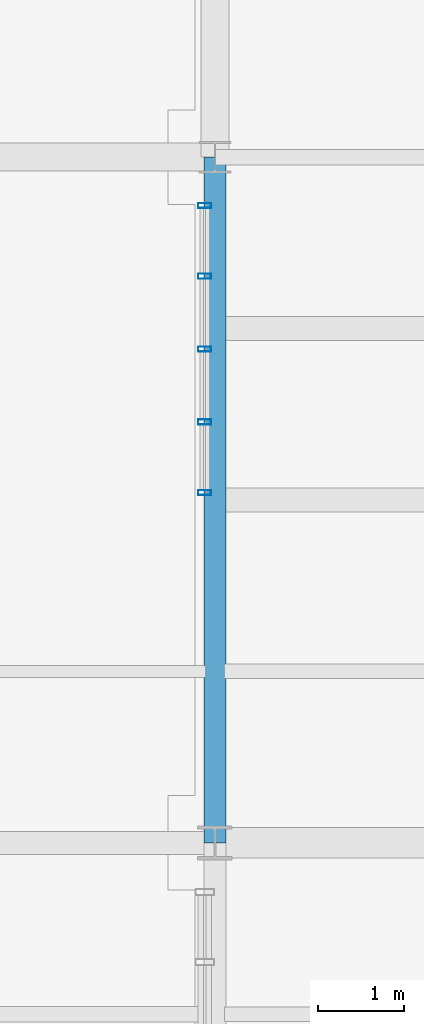
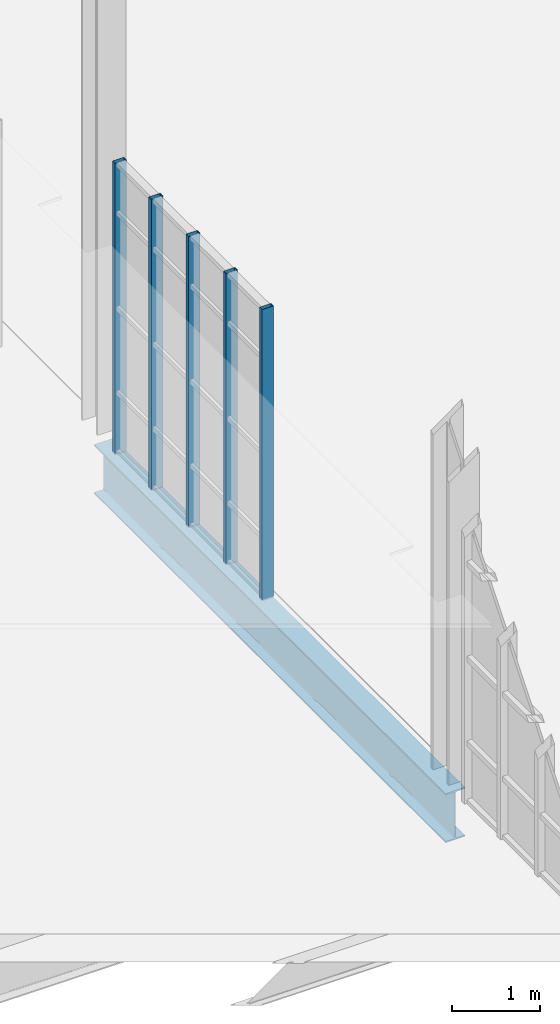
# One storey, part 34 of 118: 5 members, 1 beam, 1 element without a shape of its own.
"""IFC4 building model written with IfcOpenShell, lengths in metres."""

from ifc_helpers import new_model, si_unit, direction, frame, origin, origin_2d, place, context, subcontext, project, spatial, hollow_rectangle, i_section, extrude, material, layer, layer_set, material_profile, profile_set, type_object, element, aggregate, save


model = new_model("IFC4")

# Units and contexts
model_context = context("Model", 3, precision=1e-05, world=origin(), true_north=direction((0.0, 1.0)))
body_context = subcontext(model_context, "Body", "Model", "MODEL_VIEW")
ifc_project = project(units=[si_unit("LENGTHUNIT", "METRE"), si_unit("AREAUNIT", "SQUARE_METRE"), si_unit("VOLUMEUNIT", "CUBIC_METRE"), si_unit("PLANEANGLEUNIT", "RADIAN"), si_unit("MASSUNIT", "GRAM", prefix="KILO"), si_unit("THERMODYNAMICTEMPERATUREUNIT", "KELVIN"), si_unit("POWERUNIT", "WATT")], contexts=[model_context])

# Site, building, storey
site_placement = place(None, origin())
site = spatial("IfcSite", under=ifc_project, at=site_placement, CompositionType="ELEMENT")
building_placement = place(site_placement, origin())
building = spatial("IfcBuilding", under=site, at=building_placement, Name="Zelmaris Science Centre", CompositionType="ELEMENT")
storey_placement = place(building_placement, frame((0.0, 0.0, 15.60009765625)))
storey = spatial("IfcBuildingStorey", under=building, at=storey_placement, Name="L03", CompositionType="ELEMENT", Elevation=15.60009765625)

# Curtain wall, members
ifc_material_1 = material(Name="Anodised architectural aluminium 6063-T6", Category="aluminium")
ifc_layer = layer(ifc_material_1, 0.219970703125, Name="Anodised architectural aluminium 6063-T6")
ifc_layer_set = layer_set([ifc_layer], Name="Anodised architectural aluminium 6063-T6")
curtain_wall_type = type_object("IfcCurtainWallType", Name="Curtain Wall CW-04", PredefinedType="USERDEFINED", material=ifc_layer_set)
curtain_wall_placement = place(storey_placement, origin())
curtain_wall = element("IfcCurtainWall", 1, at=curtain_wall_placement, inside=storey, type_object=curtain_wall_type, Name="L03 Unitised curtain wall 304", ObjectType="GLAZED CURTAIN WALL", PredefinedType="USERDEFINED")
ifc_material_profile_1 = material_profile(ifc_material_1, hollow_rectangle(XDim=0.06005859375, YDim=0.14990234375, WallThickness=0.00341796875, at=origin_2d()), Name="ALU-MUL-60X150")
ifc_profile_set_1 = profile_set([ifc_material_profile_1], Name="Anodised architectural aluminium 6063-T6")
member_type = type_object("IfcMemberType", Name="ALU-MUL-60X150", PredefinedType="MULLION", material=ifc_profile_set_1)
member_1_placement = place(storey_placement, frame((134.8798828125, 23.43408203125, -0.01513671875), z_axis=(0.0, 0.0, 1.0), x_axis=(0.0, -1.0, 0.0)))
member_1 = element("IfcMember", 2, at=member_1_placement, type_object=member_type, Name="CW-04 mullion 1", PredefinedType="MULLION", context=body_context, shape_type="SweptSolid", body=[
    extrude(hollow_rectangle(XDim=0.06005859375, YDim=0.14990234375, WallThickness=0.00341796875, at=origin_2d()), origin(), (0.0, 0.0, 1.0), 4.044921875),
])
member_2_placement = place(storey_placement, frame((134.8798828125, 22.610107421875, -0.01513671875), z_axis=(0.0, 0.0, 1.0), x_axis=(0.0, -1.0, 0.0)))
member_2 = element("IfcMember", 3, at=member_2_placement, type_object=member_type, Name="CW-04 mullion 2", PredefinedType="MULLION", context=body_context, shape_type="SweptSolid", body=[
    extrude(hollow_rectangle(XDim=0.06005859375, YDim=0.14990234375, WallThickness=0.00341796875, at=origin_2d()), origin(), (0.0, 0.0, 1.0), 4.044921875),
])
member_3_placement = place(storey_placement, frame((134.8798828125, 21.760009765625, -0.01513671875), z_axis=(0.0, 0.0, 1.0), x_axis=(0.0, -1.0, 0.0)))
member_3 = element("IfcMember", 4, at=member_3_placement, type_object=member_type, Name="CW-04 mullion 3", PredefinedType="MULLION", context=body_context, shape_type="SweptSolid", body=[
    extrude(hollow_rectangle(XDim=0.06005859375, YDim=0.14990234375, WallThickness=0.00341796875, at=origin_2d()), origin(), (0.0, 0.0, 1.0), 4.044921875),
])
member_4_placement = place(storey_placement, frame((134.8798828125, 20.909912109375, -0.01513671875), z_axis=(0.0, 0.0, 1.0), x_axis=(0.0, -1.0, 0.0)))
member_4 = element("IfcMember", 5, at=member_4_placement, type_object=member_type, Name="CW-04 mullion 4", PredefinedType="MULLION", context=body_context, shape_type="SweptSolid", body=[
    extrude(hollow_rectangle(XDim=0.06005859375, YDim=0.14990234375, WallThickness=0.00341796875, at=origin_2d()), origin(), (0.0, 0.0, 1.0), 4.044921875),
])
member_5_placement = place(storey_placement, frame((134.8798828125, 20.0859375, -0.01513671875), z_axis=(0.0, 0.0, 1.0), x_axis=(0.0, -1.0, 0.0)))
member_5 = element("IfcMember", 6, at=member_5_placement, type_object=member_type, Name="CW-04 mullion 5", PredefinedType="MULLION", context=body_context, shape_type="SweptSolid", body=[
    extrude(hollow_rectangle(XDim=0.06005859375, YDim=0.14990234375, WallThickness=0.00341796875, at=origin_2d()), origin(), (0.0, 0.0, 1.0), 4.044921875),
])
aggregate(curtain_wall, [member_1, member_2, member_3, member_4, member_5])

# Beam
ifc_material_2 = material(Name="Steel ASTM A992 Grade 50", Category="steel")
ifc_material_profile_2 = material_profile(ifc_material_2, i_section(OverallWidth=0.25390625, OverallDepth=0.68310546875, WebThickness=0.012451171875, FlangeThickness=0.018798828125, FilletRadius=0.01806640625, at=origin_2d()), Name="W27X94")
ifc_profile_set_2 = profile_set([ifc_material_profile_2], Name="Steel ASTM A992 Grade 50")
beam_type = type_object("IfcBeamType", Name="Beam G-13 W27X94", PredefinedType="BEAM", material=ifc_profile_set_2)
beam_placement = place(storey_placement, frame((135.0, 16.0, -0.6015625), z_axis=(0.0, 1.0, 0.0), x_axis=(-1.0, 0.0, 0.0)))
element("IfcBeam", 7, at=beam_placement, inside=storey, type_object=beam_type, Name="L03 North-south girder 720", PredefinedType="BEAM", context=body_context, shape_type="SweptSolid", body=[
    extrude(i_section(OverallWidth=0.25390625, OverallDepth=0.68310546875, WebThickness=0.012451171875, FlangeThickness=0.018798828125, FilletRadius=0.01806640625, at=origin_2d()), origin(), (0.0, 0.0, 1.0), 8.0),
])

save(model, "model.ifc")
